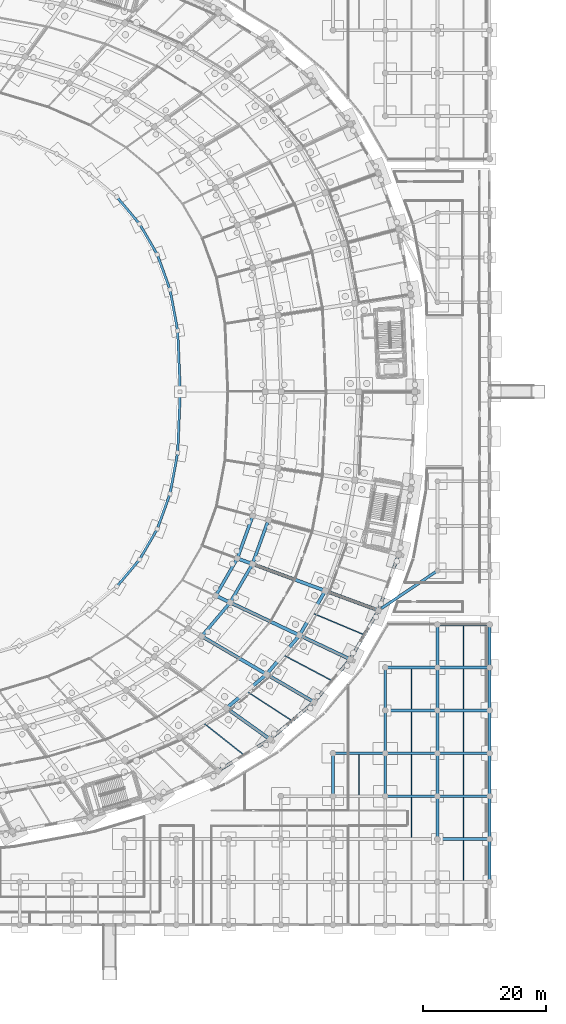
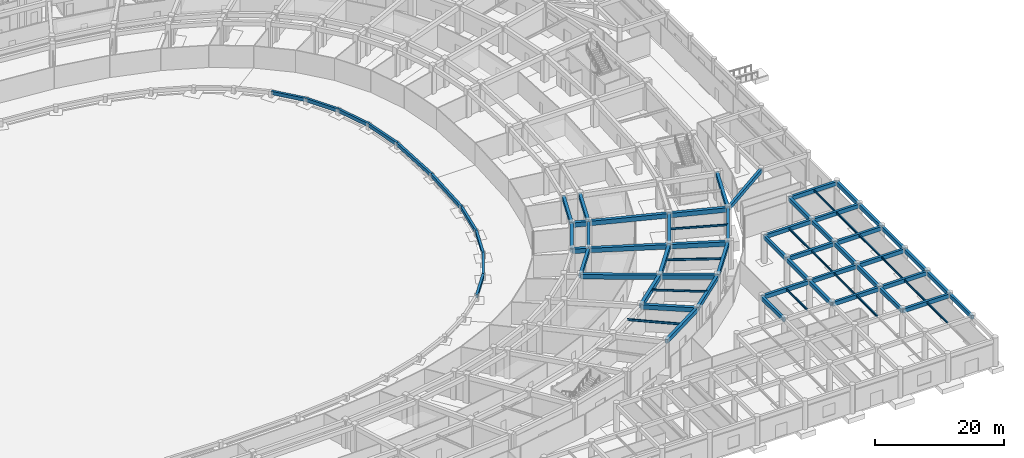
# One storey, part 31 of 88: 74 beams.
"""IFC4 building model written with IfcOpenShell, lengths in metres."""

from ifc_helpers import new_model, si_unit, direction, frame, origin, origin_2d, place, context, subcontext, project, spatial, rectangle, i_section, extrude, material, material_profile, profile_set, type_object, element, save


model = new_model("IFC4")

# Units and contexts
model_context = context("Model", 3, precision=1e-05, world=origin(), true_north=direction((0.0, 1.0)))
body_context = subcontext(model_context, "Body", "Model", "MODEL_VIEW")
ifc_project = project(units=[si_unit("LENGTHUNIT", "METRE"), si_unit("AREAUNIT", "SQUARE_METRE"), si_unit("VOLUMEUNIT", "CUBIC_METRE"), si_unit("PLANEANGLEUNIT", "RADIAN"), si_unit("MASSUNIT", "GRAM", prefix="KILO")], contexts=[model_context])

# Site, building, storey
site_placement = place(None, origin())
site = spatial("IfcSite", under=ifc_project, at=site_placement, CompositionType="ELEMENT")
building_placement = place(site_placement, origin())
building = spatial("IfcBuilding", under=site, at=building_placement, Name="Mphavela Belvedere Stadium", CompositionType="ELEMENT")
storey_placement = place(building_placement, origin())
storey = spatial("IfcBuildingStorey", under=building, at=storey_placement, Name="L00", CompositionType="ELEMENT", Elevation=0.0)

# Beams
ifc_material_1 = material(Name="Steel S355", Category="steel")
ifc_material_profile_1 = material_profile(ifc_material_1, i_section(OverallWidth=0.169921875, OverallDepth=0.360107421875, WebThickness=0.008056640625, FlangeThickness=0.0126953125, at=origin_2d()), Name="IPE 360")
ifc_profile_set_1 = profile_set([ifc_material_profile_1], Name="Steel S355")
beam_type_1 = type_object("IfcBeamType", Name="BM-JOIST-IPE360", PredefinedType="JOIST", material=ifc_profile_set_1)
beam_1_placement = place(storey_placement, frame((190.330810546875, 38.127197265625, 4.969970703125), z_axis=(0.838915278194, -0.544262028818, 0.0), x_axis=(0.544262028818, 0.838915278194, 0.0)))
element("IfcBeam", 1, at=beam_1_placement, inside=storey, type_object=beam_type_1, Name="Concourse floor joist L00-43", PredefinedType="JOIST", context=body_context, shape_type="SweptSolid", body=[
    extrude(i_section(OverallWidth=0.169921875, OverallDepth=0.360107421875, WebThickness=0.008056640625, FlangeThickness=0.0126953125, at=origin_2d()), origin(), (0.0, 0.0, 1.0), 8.840087890625),
])
beam_2_placement = place(storey_placement, frame((201.07568359375, 50.8837890625, 4.969970703125), z_axis=(0.922108778612, -0.386930743682, 0.0), x_axis=(0.386930743682, 0.922108778612, 0.0)))
element("IfcBeam", 2, at=beam_2_placement, inside=storey, type_object=beam_type_1, Name="Concourse floor joist L00-45", PredefinedType="JOIST", context=body_context, shape_type="SweptSolid", body=[
    extrude(i_section(OverallWidth=0.169921875, OverallDepth=0.360107421875, WebThickness=0.008056640625, FlangeThickness=0.0126953125, at=origin_2d()), origin(), (0.0, 0.0, 1.0), 9.189453125),
])
for number, where, z_axis, x_axis, name in (
    (3, (208.70361328125, 21.22509765625, 4.9599609375), (0.0, 1.0, 0.0), (-1.0, 0.0, 0.0), "South Axial Triumphal Peristyle Portico secondary joist L00 25-4"),
    (4, (217.221923828125, 14.22509765625, 4.9599609375), (0.0, 1.0, 0.0), (-1.0, 0.0, 0.0), "South Axial Triumphal Peristyle Portico secondary joist L00 26-3"),
    (5, (217.221923828125, 21.22509765625, 4.9599609375), (0.0, 1.0, 0.0), (-1.0, 0.0, 0.0), "South Axial Triumphal Peristyle Portico secondary joist L00 26-4"),
    (6, (217.221923828125, 28.22509765625, 4.9599609375), (0.0, 1.0, 0.0), (-1.0, 0.0, 0.0), "South Axial Triumphal Peristyle Portico secondary joist L00 26-5"),
    (7, (217.221923828125, 35.22509765625, 4.9599609375), (0.0, 1.0, 0.0), (-1.0, 0.0, 0.0), "South Axial Triumphal Peristyle Portico secondary joist L00 26-6"),
    (8, (225.740478515625, 7.22509765625, 4.9599609375), (0.0, 1.0, 0.0), (-1.0, 0.0, 0.0), "South Axial Triumphal Peristyle Portico secondary joist L00 27-2"),
    (9, (225.740478515625, 14.22509765625, 4.9599609375), (0.0, 1.0, 0.0), (-1.0, 0.0, 0.0), "South Axial Triumphal Peristyle Portico secondary joist L00 27-3"),
    (10, (225.740478515625, 21.22509765625, 4.9599609375), (0.0, 1.0, 0.0), (-1.0, 0.0, 0.0), "South Axial Triumphal Peristyle Portico secondary joist L00 27-4"),
    (11, (225.740478515625, 28.22509765625, 4.9599609375), (0.0, 1.0, 0.0), (-1.0, 0.0, 0.0), "South Axial Triumphal Peristyle Portico secondary joist L00 27-5"),
    (12, (225.740478515625, 35.22509765625, 4.9599609375), (0.0, 1.0, 0.0), (-1.0, 0.0, 0.0), "South Axial Triumphal Peristyle Portico secondary joist L00 27-6"),
    (13, (225.740478515625, 42.22509765625, 4.9599609375), (0.0, 1.0, 0.0), (-1.0, 0.0, 0.0), "South Axial Triumphal Peristyle Portico secondary joist L00 27-7"),
):
    element("IfcBeam", number, at=place(storey_placement, frame(where, z_axis=z_axis, x_axis=x_axis)), inside=storey, type_object=beam_type_1, Name=name, PredefinedType="JOIST", context=body_context, shape_type="SweptSolid", body=[
        extrude(i_section(OverallWidth=0.169921875, OverallDepth=0.360107421875, WebThickness=0.008056640625, FlangeThickness=0.0126953125, at=origin_2d()), origin(), (0.0, 0.0, 1.0), 6.5498046875),
    ])
ifc_material_2 = material(Name="Steel S355", Category="steel")
ifc_material_profile_2 = material_profile(ifc_material_2, i_section(OverallWidth=0.179931640625, OverallDepth=0.39990234375, WebThickness=0.008544921875, FlangeThickness=0.013427734375, at=origin_2d()), Name="IPE 400")
ifc_profile_set_2 = profile_set([ifc_material_profile_2], Name="Steel S355")
beam_type_2 = type_object("IfcBeamType", Name="BM-JOIST-IPE400", PredefinedType="JOIST", material=ifc_profile_set_2)
beam_3_placement = place(storey_placement, frame((183.210693359375, 33.02587890625, 4.949951171875), z_axis=(0.784195537739, -0.620513785979, 0.0), x_axis=(0.620513785979, 0.784195537739, 0.0)))
element("IfcBeam", 14, at=beam_3_placement, inside=storey, type_object=beam_type_2, Name="Concourse floor joist L00-42", PredefinedType="JOIST", context=body_context, shape_type="SweptSolid", body=[
    extrude(i_section(OverallWidth=0.179931640625, OverallDepth=0.39990234375, WebThickness=0.008544921875, FlangeThickness=0.013427734375, at=origin_2d()), origin(), (0.0, 0.0, 1.0), 8.56298828125),
])
beam_4_placement = place(storey_placement, frame((196.2880859375, 44.06884765625, 4.949951171875), z_axis=(0.884250771824, -0.467012390123, 0.0), x_axis=(0.467012390123, 0.884250771824, 0.0)))
element("IfcBeam", 15, at=beam_4_placement, inside=storey, type_object=beam_type_2, Name="Concourse floor joist L00-44", PredefinedType="JOIST", context=body_context, shape_type="SweptSolid", body=[
    extrude(i_section(OverallWidth=0.179931640625, OverallDepth=0.39990234375, WebThickness=0.008544921875, FlangeThickness=0.013427734375, at=origin_2d()), origin(), (0.0, 0.0, 1.0), 9.0498046875),
])
ifc_material_3 = material(Name="Concrete C40/50", Category="concrete")
ifc_material_profile_3 = material_profile(ifc_material_3, rectangle(XDim=0.39990234375, YDim=0.64990234375, at=origin_2d()), Name="RC 400x650")
ifc_profile_set_3 = profile_set([ifc_material_profile_3], Name="Concrete C40/50")
beam_type_3 = type_object("IfcBeamType", Name="BM-RC400x650", PredefinedType="BEAM", material=ifc_profile_set_3)
beam_5_placement = place(storey_placement, frame((179.5048828125, 87.0, 0.824951171875), z_axis=(-0.041887754326, 0.99912232286, 0.0), x_axis=(-0.99912232286, -0.041887754326, 0.0)))
element("IfcBeam", 16, at=beam_5_placement, inside=storey, type_object=beam_type_3, Name="Lower tier plinth ring beam 01", PredefinedType="BEAM", context=body_context, shape_type="SweptSolid", body=[
    extrude(rectangle(XDim=0.39990234375, YDim=0.64990234375, at=origin_2d()), origin(), (0.0, 0.0, 1.0), 9.94921875),
])
beam_6_placement = place(storey_placement, frame((179.088134765625, 96.9404296875, 0.824951171875), z_axis=(-0.182635082941, 0.983180769991, 0.0), x_axis=(-0.983180769991, -0.182635082941, 0.0)))
element("IfcBeam", 17, at=beam_6_placement, inside=storey, type_object=beam_type_3, Name="Lower tier plinth ring beam 02", PredefinedType="BEAM", context=body_context, shape_type="SweptSolid", body=[
    extrude(rectangle(XDim=0.39990234375, YDim=0.64990234375, at=origin_2d()), origin(), (0.0, 0.0, 1.0), 6.8388671875),
])
beam_7_placement = place(storey_placement, frame((177.839111328125, 103.664306640625, 0.824951171875), z_axis=(-0.341053704054, 0.940043813315, 0.0), x_axis=(-0.940043813315, -0.341053704054, 0.0)))
element("IfcBeam", 18, at=beam_7_placement, inside=storey, type_object=beam_type_3, Name="Lower tier plinth ring beam 03", PredefinedType="BEAM", context=body_context, shape_type="SweptSolid", body=[
    extrude(rectangle(XDim=0.39990234375, YDim=0.64990234375, at=origin_2d()), origin(), (0.0, 0.0, 1.0), 6.086181640625),
])
beam_8_placement = place(storey_placement, frame((175.763427734375, 109.385498046875, 0.824951171875), z_axis=(-0.500538549493, 0.86571424874, 0.0), x_axis=(-0.86571424874, -0.500538549493, 0.0)))
element("IfcBeam", 19, at=beam_8_placement, inside=storey, type_object=beam_type_3, Name="Lower tier plinth ring beam 04", PredefinedType="BEAM", context=body_context, shape_type="SweptSolid", body=[
    extrude(rectangle(XDim=0.39990234375, YDim=0.64990234375, at=origin_2d()), origin(), (0.0, 0.0, 1.0), 5.7822265625),
])
for number, where, z_axis, x_axis, name in (
    (20, (172.869140625, 114.391357421875, 0.824951171875), (-0.645177508065, 0.764032710744, 0.0), (-0.764032710744, -0.645177508065, 0.0), "Lower tier plinth ring beam 05"),
    (21, (169.1650390625, 55.22216796875, 0.824951171875), (0.645177508065, 0.764032710744, 0.0), (-0.764032710744, 0.645177508065, 0.0), "Lower tier plinth ring beam 44"),
):
    element("IfcBeam", number, at=place(storey_placement, frame(where, z_axis=z_axis, x_axis=x_axis)), inside=storey, type_object=beam_type_3, Name=name, PredefinedType="BEAM", context=body_context, shape_type="SweptSolid", body=[
        extrude(rectangle(XDim=0.39990234375, YDim=0.64990234375, at=origin_2d()), origin(), (0.0, 0.0, 1.0), 5.7412109375),
    ])
beam_9_placement = place(storey_placement, frame((172.869140625, 59.608642578125, 0.824951171875), z_axis=(0.500538549493, 0.86571424874, 0.0), x_axis=(-0.86571424874, 0.500538549493, 0.0)))
element("IfcBeam", 22, at=beam_9_placement, inside=storey, type_object=beam_type_3, Name="Lower tier plinth ring beam 45", PredefinedType="BEAM", context=body_context, shape_type="SweptSolid", body=[
    extrude(rectangle(XDim=0.39990234375, YDim=0.64990234375, at=origin_2d()), origin(), (0.0, 0.0, 1.0), 5.7822265625),
])
beam_10_placement = place(storey_placement, frame((175.763427734375, 64.614501953125, 0.824951171875), z_axis=(0.341053704054, 0.940043813315, 0.0), x_axis=(-0.940043813315, 0.341053704054, 0.0)))
element("IfcBeam", 23, at=beam_10_placement, inside=storey, type_object=beam_type_3, Name="Lower tier plinth ring beam 46", PredefinedType="BEAM", context=body_context, shape_type="SweptSolid", body=[
    extrude(rectangle(XDim=0.39990234375, YDim=0.64990234375, at=origin_2d()), origin(), (0.0, 0.0, 1.0), 6.086181640625),
])
beam_11_placement = place(storey_placement, frame((177.839111328125, 70.335693359375, 0.824951171875), z_axis=(0.182635082941, 0.983180769991, 0.0), x_axis=(-0.983180769991, 0.182635082941, 0.0)))
element("IfcBeam", 24, at=beam_11_placement, inside=storey, type_object=beam_type_3, Name="Lower tier plinth ring beam 47", PredefinedType="BEAM", context=body_context, shape_type="SweptSolid", body=[
    extrude(rectangle(XDim=0.39990234375, YDim=0.64990234375, at=origin_2d()), origin(), (0.0, 0.0, 1.0), 6.8388671875),
])
beam_12_placement = place(storey_placement, frame((179.088134765625, 77.0595703125, 0.824951171875), z_axis=(0.041887754326, 0.99912232286, 0.0), x_axis=(-0.99912232286, 0.041887754326, 0.0)))
element("IfcBeam", 25, at=beam_12_placement, inside=storey, type_object=beam_type_3, Name="Lower tier plinth ring beam 48", PredefinedType="BEAM", context=body_context, shape_type="SweptSolid", body=[
    extrude(rectangle(XDim=0.39990234375, YDim=0.64990234375, at=origin_2d()), origin(), (0.0, 0.0, 1.0), 9.94921875),
])
ifc_material_4 = material(Name="Concrete C40/50", Category="concrete")
ifc_material_profile_4 = material_profile(ifc_material_4, rectangle(XDim=0.449951171875, YDim=0.75, at=origin_2d()), Name="RC 450x750")
ifc_profile_set_4 = profile_set([ifc_material_profile_4], Name="Concrete C40/50")
beam_type_4 = type_object("IfcBeamType", Name="BM-RC450x750", PredefinedType="BEAM", material=ifc_profile_set_4)
beam_13_placement = place(storey_placement, frame((204.444091796875, 21.0, 4.764892578125), z_axis=(0.0, 1.0, 0.0), x_axis=(-1.0, 0.0, 0.0)))
element("IfcBeam", 26, at=beam_13_placement, inside=storey, type_object=beam_type_4, Name="South Axial Triumphal Peristyle Portico entablature beam Y L00 25-4", PredefinedType="BEAM", context=body_context, shape_type="SweptSolid", body=[
    extrude(rectangle(XDim=0.449951171875, YDim=0.75, at=origin_2d()), origin(), (0.0, 0.0, 1.0), 7.0),
])
beam_14_placement = place(storey_placement, frame((204.444091796875, 28.0, 4.764892578125), z_axis=(1.0, 0.0, 0.0), x_axis=(0.0, 1.0, 0.0)))
element("IfcBeam", 27, at=beam_14_placement, inside=storey, type_object=beam_type_4, Name="South Axial Triumphal Peristyle Portico entablature beam X L00 25-5", PredefinedType="BEAM", context=body_context, shape_type="SweptSolid", body=[
    extrude(rectangle(XDim=0.449951171875, YDim=0.75, at=origin_2d()), origin(), (0.0, 0.0, 1.0), 8.518798828125),
])
beam_15_placement = place(storey_placement, frame((212.962890625, 21.0, 4.764892578125), z_axis=(1.0, 0.0, 0.0), x_axis=(0.0, 1.0, 0.0)))
element("IfcBeam", 28, at=beam_15_placement, inside=storey, type_object=beam_type_4, Name="South Axial Triumphal Peristyle Portico entablature beam X L00 26-4", PredefinedType="BEAM", context=body_context, shape_type="SweptSolid", body=[
    extrude(rectangle(XDim=0.449951171875, YDim=0.75, at=origin_2d()), origin(), (0.0, 0.0, 1.0), 8.51806640625),
])
beam_16_placement = place(storey_placement, frame((212.962890625, 21.0, 4.764892578125), z_axis=(0.0, 1.0, 0.0), x_axis=(-1.0, 0.0, 0.0)))
element("IfcBeam", 29, at=beam_16_placement, inside=storey, type_object=beam_type_4, Name="South Axial Triumphal Peristyle Portico entablature beam Y L00 26-4", PredefinedType="BEAM", context=body_context, shape_type="SweptSolid", body=[
    extrude(rectangle(XDim=0.449951171875, YDim=0.75, at=origin_2d()), origin(), (0.0, 0.0, 1.0), 7.0),
])
beam_17_placement = place(storey_placement, frame((212.962890625, 28.0, 4.764892578125), z_axis=(1.0, 0.0, 0.0), x_axis=(0.0, 1.0, 0.0)))
element("IfcBeam", 30, at=beam_17_placement, inside=storey, type_object=beam_type_4, Name="South Axial Triumphal Peristyle Portico entablature beam X L00 26-5", PredefinedType="BEAM", context=body_context, shape_type="SweptSolid", body=[
    extrude(rectangle(XDim=0.449951171875, YDim=0.75, at=origin_2d()), origin(), (0.0, 0.0, 1.0), 8.51806640625),
])
beam_18_placement = place(storey_placement, frame((212.962890625, 28.0, 4.764892578125), z_axis=(0.0, 1.0, 0.0), x_axis=(-1.0, 0.0, 0.0)))
element("IfcBeam", 31, at=beam_18_placement, inside=storey, type_object=beam_type_4, Name="South Axial Triumphal Peristyle Portico entablature beam Y L00 26-5", PredefinedType="BEAM", context=body_context, shape_type="SweptSolid", body=[
    extrude(rectangle(XDim=0.449951171875, YDim=0.75, at=origin_2d()), origin(), (0.0, 0.0, 1.0), 7.0),
])
beam_19_placement = place(storey_placement, frame((212.962890625, 35.0, 4.764892578125), z_axis=(1.0, 0.0, 0.0), x_axis=(0.0, 1.0, 0.0)))
element("IfcBeam", 32, at=beam_19_placement, inside=storey, type_object=beam_type_4, Name="South Axial Triumphal Peristyle Portico entablature beam X L00 26-6", PredefinedType="BEAM", context=body_context, shape_type="SweptSolid", body=[
    extrude(rectangle(XDim=0.449951171875, YDim=0.75, at=origin_2d()), origin(), (0.0, 0.0, 1.0), 8.51806640625),
])
beam_20_placement = place(storey_placement, frame((212.962890625, 35.0, 4.764892578125), z_axis=(0.0, 1.0, 0.0), x_axis=(-1.0, 0.0, 0.0)))
element("IfcBeam", 33, at=beam_20_placement, inside=storey, type_object=beam_type_4, Name="South Axial Triumphal Peristyle Portico entablature beam Y L00 26-6", PredefinedType="BEAM", context=body_context, shape_type="SweptSolid", body=[
    extrude(rectangle(XDim=0.449951171875, YDim=0.75, at=origin_2d()), origin(), (0.0, 0.0, 1.0), 7.0),
])
beam_21_placement = place(storey_placement, frame((212.962890625, 42.0, 4.764892578125), z_axis=(1.0, 0.0, 0.0), x_axis=(0.0, 1.0, 0.0)))
element("IfcBeam", 34, at=beam_21_placement, inside=storey, type_object=beam_type_4, Name="South Axial Triumphal Peristyle Portico entablature beam X L00 26-7", PredefinedType="BEAM", context=body_context, shape_type="SweptSolid", body=[
    extrude(rectangle(XDim=0.449951171875, YDim=0.75, at=origin_2d()), origin(), (0.0, 0.0, 1.0), 8.51806640625),
])
beam_22_placement = place(storey_placement, frame((221.48095703125, 14.0, 4.764892578125), z_axis=(1.0, 0.0, 0.0), x_axis=(0.0, 1.0, 0.0)))
element("IfcBeam", 35, at=beam_22_placement, inside=storey, type_object=beam_type_4, Name="South Axial Triumphal Peristyle Portico entablature beam X L00 27-3", PredefinedType="BEAM", context=body_context, shape_type="SweptSolid", body=[
    extrude(rectangle(XDim=0.449951171875, YDim=0.75, at=origin_2d()), origin(), (0.0, 0.0, 1.0), 8.51904296875),
])
beam_23_placement = place(storey_placement, frame((221.48095703125, 14.0, 4.764892578125), z_axis=(0.0, 1.0, 0.0), x_axis=(-1.0, 0.0, 0.0)))
element("IfcBeam", 36, at=beam_23_placement, inside=storey, type_object=beam_type_4, Name="South Axial Triumphal Peristyle Portico entablature beam Y L00 27-3", PredefinedType="BEAM", context=body_context, shape_type="SweptSolid", body=[
    extrude(rectangle(XDim=0.449951171875, YDim=0.75, at=origin_2d()), origin(), (0.0, 0.0, 1.0), 7.0),
])
beam_24_placement = place(storey_placement, frame((221.48095703125, 21.0, 4.764892578125), z_axis=(1.0, 0.0, 0.0), x_axis=(0.0, 1.0, 0.0)))
element("IfcBeam", 37, at=beam_24_placement, inside=storey, type_object=beam_type_4, Name="South Axial Triumphal Peristyle Portico entablature beam X L00 27-4", PredefinedType="BEAM", context=body_context, shape_type="SweptSolid", body=[
    extrude(rectangle(XDim=0.449951171875, YDim=0.75, at=origin_2d()), origin(), (0.0, 0.0, 1.0), 8.51904296875),
])
beam_25_placement = place(storey_placement, frame((221.48095703125, 21.0, 4.764892578125), z_axis=(0.0, 1.0, 0.0), x_axis=(-1.0, 0.0, 0.0)))
element("IfcBeam", 38, at=beam_25_placement, inside=storey, type_object=beam_type_4, Name="South Axial Triumphal Peristyle Portico entablature beam Y L00 27-4", PredefinedType="BEAM", context=body_context, shape_type="SweptSolid", body=[
    extrude(rectangle(XDim=0.449951171875, YDim=0.75, at=origin_2d()), origin(), (0.0, 0.0, 1.0), 7.0),
])
beam_26_placement = place(storey_placement, frame((221.48095703125, 28.0, 4.764892578125), z_axis=(1.0, 0.0, 0.0), x_axis=(0.0, 1.0, 0.0)))
element("IfcBeam", 39, at=beam_26_placement, inside=storey, type_object=beam_type_4, Name="South Axial Triumphal Peristyle Portico entablature beam X L00 27-5", PredefinedType="BEAM", context=body_context, shape_type="SweptSolid", body=[
    extrude(rectangle(XDim=0.449951171875, YDim=0.75, at=origin_2d()), origin(), (0.0, 0.0, 1.0), 8.51904296875),
])
beam_27_placement = place(storey_placement, frame((221.48095703125, 28.0, 4.764892578125), z_axis=(0.0, 1.0, 0.0), x_axis=(-1.0, 0.0, 0.0)))
element("IfcBeam", 40, at=beam_27_placement, inside=storey, type_object=beam_type_4, Name="South Axial Triumphal Peristyle Portico entablature beam Y L00 27-5", PredefinedType="BEAM", context=body_context, shape_type="SweptSolid", body=[
    extrude(rectangle(XDim=0.449951171875, YDim=0.75, at=origin_2d()), origin(), (0.0, 0.0, 1.0), 7.0),
])
beam_28_placement = place(storey_placement, frame((221.48095703125, 35.0, 4.764892578125), z_axis=(1.0, 0.0, 0.0), x_axis=(0.0, 1.0, 0.0)))
element("IfcBeam", 41, at=beam_28_placement, inside=storey, type_object=beam_type_4, Name="South Axial Triumphal Peristyle Portico entablature beam X L00 27-6", PredefinedType="BEAM", context=body_context, shape_type="SweptSolid", body=[
    extrude(rectangle(XDim=0.449951171875, YDim=0.75, at=origin_2d()), origin(), (0.0, 0.0, 1.0), 8.51904296875),
])
beam_29_placement = place(storey_placement, frame((221.48095703125, 35.0, 4.764892578125), z_axis=(0.0, 1.0, 0.0), x_axis=(-1.0, 0.0, 0.0)))
element("IfcBeam", 42, at=beam_29_placement, inside=storey, type_object=beam_type_4, Name="South Axial Triumphal Peristyle Portico entablature beam Y L00 27-6", PredefinedType="BEAM", context=body_context, shape_type="SweptSolid", body=[
    extrude(rectangle(XDim=0.449951171875, YDim=0.75, at=origin_2d()), origin(), (0.0, 0.0, 1.0), 7.0),
])
beam_30_placement = place(storey_placement, frame((221.48095703125, 42.0, 4.764892578125), z_axis=(1.0, 0.0, 0.0), x_axis=(0.0, 1.0, 0.0)))
element("IfcBeam", 43, at=beam_30_placement, inside=storey, type_object=beam_type_4, Name="South Axial Triumphal Peristyle Portico entablature beam X L00 27-7", PredefinedType="BEAM", context=body_context, shape_type="SweptSolid", body=[
    extrude(rectangle(XDim=0.449951171875, YDim=0.75, at=origin_2d()), origin(), (0.0, 0.0, 1.0), 8.51904296875),
])
beam_31_placement = place(storey_placement, frame((221.48095703125, 42.0, 4.764892578125), z_axis=(0.0, 1.0, 0.0), x_axis=(-1.0, 0.0, 0.0)))
element("IfcBeam", 44, at=beam_31_placement, inside=storey, type_object=beam_type_4, Name="South Axial Triumphal Peristyle Portico entablature beam Y L00 27-7", PredefinedType="BEAM", context=body_context, shape_type="SweptSolid", body=[
    extrude(rectangle(XDim=0.449951171875, YDim=0.75, at=origin_2d()), origin(), (0.0, 0.0, 1.0), 7.0),
])
beam_32_placement = place(storey_placement, frame((221.48095703125, 49.0, 4.764892578125), z_axis=(1.0, 0.0, 0.0), x_axis=(0.0, 1.0, 0.0)))
element("IfcBeam", 45, at=beam_32_placement, inside=storey, type_object=beam_type_4, Name="South Axial Triumphal Peristyle Portico entablature beam X L00 27-8", PredefinedType="BEAM", context=body_context, shape_type="SweptSolid", body=[
    extrude(rectangle(XDim=0.449951171875, YDim=0.75, at=origin_2d()), origin(), (0.0, 0.0, 1.0), 8.51904296875),
])
for number, where, z_axis, x_axis, name in (
    (46, (230.0, 7.0, 4.764892578125), (0.0, 1.0, 0.0), (-1.0, 0.0, 0.0), "South Axial Triumphal Peristyle Portico entablature beam Y L00 28-2"),
    (47, (230.0, 14.0, 4.764892578125), (0.0, 1.0, 0.0), (-1.0, 0.0, 0.0), "South Axial Triumphal Peristyle Portico entablature beam Y L00 28-3"),
    (48, (230.0, 21.0, 4.764892578125), (0.0, 1.0, 0.0), (-1.0, 0.0, 0.0), "South Axial Triumphal Peristyle Portico entablature beam Y L00 28-4"),
    (49, (230.0, 28.0, 4.764892578125), (0.0, 1.0, 0.0), (-1.0, 0.0, 0.0), "South Axial Triumphal Peristyle Portico entablature beam Y L00 28-5"),
    (50, (230.0, 35.0, 4.764892578125), (0.0, 1.0, 0.0), (-1.0, 0.0, 0.0), "South Axial Triumphal Peristyle Portico entablature beam Y L00 28-6"),
    (51, (230.0, 42.0, 4.764892578125), (0.0, 1.0, 0.0), (-1.0, 0.0, 0.0), "South Axial Triumphal Peristyle Portico entablature beam Y L00 28-7"),
):
    element("IfcBeam", number, at=place(storey_placement, frame(where, z_axis=z_axis, x_axis=x_axis)), inside=storey, type_object=beam_type_4, Name=name, PredefinedType="BEAM", context=body_context, shape_type="SweptSolid", body=[
        extrude(rectangle(XDim=0.449951171875, YDim=0.75, at=origin_2d()), origin(), (0.0, 0.0, 1.0), 7.0),
    ])
beam_33_placement = place(storey_placement, frame((221.5, 57.800048828125, 4.764892578125), z_axis=(-0.82993028647, -0.557867116436, 0.0), x_axis=(0.557867116436, -0.82993028647, 0.0)))
element("IfcBeam", 52, at=beam_33_placement, inside=storey, type_object=beam_type_4, Name="East Planted Eaves Peristyle Colonnade bowl link girder L00-5", PredefinedType="BEAM", context=body_context, shape_type="SweptSolid", body=[
    extrude(rectangle(XDim=0.449951171875, YDim=0.75, at=origin_2d()), origin(), (0.0, 0.0, 1.0), 11.6201171875),
])
ifc_material_5 = material(Name="Concrete C40/50", Category="concrete")
ifc_material_profile_5 = material_profile(ifc_material_5, rectangle(XDim=0.5, YDim=0.800048828125, at=origin_2d()), Name="RC 500x800")
ifc_profile_set_5 = profile_set([ifc_material_profile_5], Name="Concrete C40/50")
beam_type_5 = type_object("IfcBeamType", Name="BM-RC500x800", PredefinedType="BEAM", material=ifc_profile_set_5)
beam_34_placement = place(storey_placement, frame((183.01171875, 47.098388671875, 4.75), z_axis=(0.645167637984, 0.764041045297, 0.0), x_axis=(-0.764041045297, 0.645167637984, 0.0)))
element("IfcBeam", 53, at=beam_34_placement, inside=storey, type_object=beam_type_5, Name="Circumferential girder L00 R2-44", PredefinedType="BEAM", context=body_context, shape_type="SweptSolid", body=[
    extrude(rectangle(XDim=0.5, YDim=0.800048828125, at=origin_2d()), origin(), (0.0, 0.0, 1.0), 7.208740234375),
])
beam_35_placement = place(storey_placement, frame((185.31298828125, 53.718505859375, 4.75), z_axis=(0.500559513075, 0.86570212768, 0.0), x_axis=(-0.86570212768, 0.500559513075, 0.0)))
element("IfcBeam", 54, at=beam_35_placement, inside=storey, type_object=beam_type_5, Name="Circumferential girder L00 R1-45", PredefinedType="BEAM", context=body_context, shape_type="SweptSolid", body=[
    extrude(rectangle(XDim=0.5, YDim=0.800048828125, at=origin_2d()), origin(), (0.0, 0.0, 1.0), 7.02587890625),
])
beam_36_placement = place(storey_placement, frame((187.66259765625, 52.606201171875, 4.75), z_axis=(0.500568314135, 0.86569703874, 0.0), x_axis=(-0.86569703874, 0.500568314135, 0.0)))
element("IfcBeam", 55, at=beam_36_placement, inside=storey, type_object=beam_type_5, Name="Circumferential girder L00 R2-45", PredefinedType="BEAM", context=body_context, shape_type="SweptSolid", body=[
    extrude(rectangle(XDim=0.5, YDim=0.800048828125, at=origin_2d()), origin(), (0.0, 0.0, 1.0), 7.2607421875),
])
beam_37_placement = place(storey_placement, frame((188.829833984375, 59.80078125, 4.75), z_axis=(0.341037858277, 0.940049562109, 0.0), x_axis=(-0.940049562109, 0.341037858277, 0.0)))
element("IfcBeam", 56, at=beam_37_placement, inside=storey, type_object=beam_type_5, Name="Circumferential girder L00 R1-46", PredefinedType="BEAM", context=body_context, shape_type="SweptSolid", body=[
    extrude(rectangle(XDim=0.5, YDim=0.800048828125, at=origin_2d()), origin(), (0.0, 0.0, 1.0), 7.39501953125),
])
beam_38_placement = place(storey_placement, frame((191.297119140625, 58.891845703125, 4.75), z_axis=(0.341037560831, 0.940049670019, 0.0), x_axis=(-0.940049670019, 0.341037560831, 0.0)))
element("IfcBeam", 57, at=beam_38_placement, inside=storey, type_object=beam_type_5, Name="Circumferential girder L00 R2-46", PredefinedType="BEAM", context=body_context, shape_type="SweptSolid", body=[
    extrude(rectangle(XDim=0.5, YDim=0.800048828125, at=origin_2d()), origin(), (0.0, 0.0, 1.0), 7.64208984375),
])
ifc_material_6 = material(Name="Concrete C40/50", Category="concrete")
ifc_material_profile_6 = material_profile(ifc_material_6, rectangle(XDim=0.550048828125, YDim=0.85009765625, at=origin_2d()), Name="RC 550x850")
ifc_profile_set_6 = profile_set([ifc_material_profile_6], Name="Concrete C40/50")
beam_type_6 = type_object("IfcBeamType", Name="BM-RC550x850", PredefinedType="BEAM", material=ifc_profile_set_6)
beam_39_placement = place(storey_placement, frame((187.061279296875, 35.368408203125, 4.72509765625), z_axis=(0.764263355392, 0.644904274761, 0.0), x_axis=(-0.644904274761, 0.764263355392, 0.0)))
element("IfcBeam", 58, at=beam_39_placement, inside=storey, type_object=beam_type_6, Name="Circumferential girder L00 R3-43", PredefinedType="BEAM", context=body_context, shape_type="SweptSolid", body=[
    extrude(rectangle(XDim=0.550048828125, YDim=0.85009765625, at=origin_2d()), origin(), (0.0, 0.0, 1.0), 8.55615234375),
])
beam_40_placement = place(storey_placement, frame((187.061279296875, 35.368408203125, 4.72509765625), z_axis=(0.812882024932, -0.582428376319, 0.0), x_axis=(0.582428376319, 0.812882024932, 0.0)))
element("IfcBeam", 59, at=beam_40_placement, inside=storey, type_object=beam_type_6, Name="Radial concourse girder L00 R3R4-43", PredefinedType="BEAM", context=body_context, shape_type="SweptSolid", body=[
    extrude(rectangle(XDim=0.550048828125, YDim=0.85009765625, at=origin_2d()), origin(), (0.0, 0.0, 1.0), 8.727294921875),
])
beam_41_placement = place(storey_placement, frame((193.600341796875, 40.88623046875, 4.72509765625), z_axis=(0.645177396673, 0.764032804808, 0.0), x_axis=(-0.764032804808, 0.645177396673, 0.0)))
element("IfcBeam", 60, at=beam_41_placement, inside=storey, type_object=beam_type_6, Name="Circumferential girder L00 R3-44", PredefinedType="BEAM", context=body_context, shape_type="SweptSolid", body=[
    extrude(rectangle(XDim=0.550048828125, YDim=0.85009765625, at=origin_2d()), origin(), (0.0, 0.0, 1.0), 8.331298828125),
])
beam_42_placement = place(storey_placement, frame((183.01171875, 47.098388671875, 4.72509765625), z_axis=(0.862519003522, -0.506024671892, 0.0), x_axis=(0.506024671892, 0.862519003522, 0.0)))
element("IfcBeam", 61, at=beam_42_placement, inside=storey, type_object=beam_type_6, Name="Radial concourse girder L00 R2R3-44", PredefinedType="BEAM", context=body_context, shape_type="SweptSolid", body=[
    extrude(rectangle(XDim=0.550048828125, YDim=0.85009765625, at=origin_2d()), origin(), (0.0, 0.0, 1.0), 12.2763671875),
])
beam_43_placement = place(storey_placement, frame((193.600341796875, 40.88623046875, 4.72509765625), z_axis=(0.862517779395, -0.506026758411, 0.0), x_axis=(0.506026758411, 0.862517779395, 0.0)))
element("IfcBeam", 62, at=beam_43_placement, inside=storey, type_object=beam_type_6, Name="Radial concourse girder L00 R3R4-44", PredefinedType="BEAM", context=body_context, shape_type="SweptSolid", body=[
    extrude(rectangle(XDim=0.550048828125, YDim=0.85009765625, at=origin_2d()), origin(), (0.0, 0.0, 1.0), 8.971435546875),
])
beam_44_placement = place(storey_placement, frame((198.9755859375, 47.251708984375, 4.72509765625), z_axis=(0.500547586322, 0.865709023765, 0.0), x_axis=(-0.865709023765, 0.500547586322, 0.0)))
element("IfcBeam", 63, at=beam_44_placement, inside=storey, type_object=beam_type_6, Name="Circumferential girder L00 R3-45", PredefinedType="BEAM", context=body_context, shape_type="SweptSolid", body=[
    extrude(rectangle(XDim=0.550048828125, YDim=0.85009765625, at=origin_2d()), origin(), (0.0, 0.0, 1.0), 8.390625),
])
beam_45_placement = place(storey_placement, frame((185.31298828125, 53.718505859375, 4.72509765625), z_axis=(0.903837253846, -0.427876405707, 0.0), x_axis=(0.427876405707, 0.903837253846, 0.0)))
element("IfcBeam", 64, at=beam_45_placement, inside=storey, type_object=beam_type_6, Name="Radial concourse girder L00 R1R2-45", PredefinedType="BEAM", context=body_context, shape_type="SweptSolid", body=[
    extrude(rectangle(XDim=0.550048828125, YDim=0.85009765625, at=origin_2d()), origin(), (0.0, 0.0, 1.0), 2.599609375),
])
beam_46_placement = place(storey_placement, frame((187.66259765625, 52.606201171875, 4.72509765625), z_axis=(0.903870454162, -0.427806267009, 0.0), x_axis=(0.427806267009, 0.903870454162, 0.0)))
element("IfcBeam", 65, at=beam_46_placement, inside=storey, type_object=beam_type_6, Name="Radial concourse girder L00 R2R3-45", PredefinedType="BEAM", context=body_context, shape_type="SweptSolid", body=[
    extrude(rectangle(XDim=0.550048828125, YDim=0.85009765625, at=origin_2d()), origin(), (0.0, 0.0, 1.0), 12.51611328125),
])
beam_47_placement = place(storey_placement, frame((198.9755859375, 47.251708984375, 4.72509765625), z_axis=(0.903845427073, -0.427859140325, 0.0), x_axis=(0.427859140325, 0.903845427073, 0.0)))
element("IfcBeam", 66, at=beam_47_placement, inside=storey, type_object=beam_type_6, Name="Radial concourse girder L00 R3R4-45", PredefinedType="BEAM", context=body_context, shape_type="SweptSolid", body=[
    extrude(rectangle(XDim=0.550048828125, YDim=0.85009765625, at=origin_2d()), origin(), (0.0, 0.0, 1.0), 9.146240234375),
])
beam_48_placement = place(storey_placement, frame((188.829833984375, 59.80078125, 4.72509765625), z_axis=(0.938351042866, -0.345683844507, 0.0), x_axis=(0.345683844507, 0.938351042866, 0.0)))
element("IfcBeam", 67, at=beam_48_placement, inside=storey, type_object=beam_type_6, Name="Radial concourse girder L00 R1R2-46", PredefinedType="BEAM", context=body_context, shape_type="SweptSolid", body=[
    extrude(rectangle(XDim=0.550048828125, YDim=0.85009765625, at=origin_2d()), origin(), (0.0, 0.0, 1.0), 2.62939453125),
])
beam_49_placement = place(storey_placement, frame((191.297119140625, 58.891845703125, 4.72509765625), z_axis=(0.938344104636, -0.345702677593, 0.0), x_axis=(0.345702677593, 0.938344104636, 0.0)))
element("IfcBeam", 68, at=beam_49_placement, inside=storey, type_object=beam_type_6, Name="Radial concourse girder L00 R2R3-46", PredefinedType="BEAM", context=body_context, shape_type="SweptSolid", body=[
    extrude(rectangle(XDim=0.550048828125, YDim=0.85009765625, at=origin_2d()), origin(), (0.0, 0.0, 1.0), 12.658935546875),
])
beam_50_placement = place(storey_placement, frame((203.175537109375, 54.515625, 4.72509765625), z_axis=(0.938348073025, -0.345691905967, 0.0), x_axis=(0.345691905967, 0.938348073025, 0.0)))
element("IfcBeam", 69, at=beam_50_placement, inside=storey, type_object=beam_type_6, Name="Radial concourse girder L00 R3R4-46", PredefinedType="BEAM", context=body_context, shape_type="SweptSolid", body=[
    extrude(rectangle(XDim=0.550048828125, YDim=0.85009765625, at=origin_2d()), origin(), (0.0, 0.0, 1.0), 9.2509765625),
])
ifc_material_7 = material(Name="Concrete C40/50", Category="concrete")
ifc_material_profile_7 = material_profile(ifc_material_7, rectangle(XDim=0.5, YDim=0.800048828125, at=origin_2d()), Name="RC 500x800")
ifc_profile_set_7 = profile_set([ifc_material_profile_7], Name="Concrete C40/50")
beam_type_7 = type_object("IfcBeamType", Name="BM-SPANDREL-800", PredefinedType="SPANDREL", material=ifc_profile_set_7)
beam_51_placement = place(storey_placement, frame((185.6962890625, 25.13916015625, 4.75), z_axis=(0.854326607994, 0.51973651678, 0.0), x_axis=(-0.51973651678, 0.854326607994, 0.0)))
element("IfcBeam", 70, at=beam_51_placement, inside=storey, type_object=beam_type_7, Name="Circumferential girder L00 R4-42", PredefinedType="SPANDREL", context=body_context, shape_type="SweptSolid", body=[
    extrude(rectangle(XDim=0.5, YDim=0.800048828125, at=origin_2d()), origin(), (0.0, 0.0, 1.0), 9.901611328125),
])
beam_52_placement = place(storey_placement, frame((194.155517578125, 30.285400390625, 4.75), z_axis=(0.76426547638, 0.644901761212, 0.0), x_axis=(-0.644901761212, 0.76426547638, 0.0)))
element("IfcBeam", 71, at=beam_52_placement, inside=storey, type_object=beam_type_7, Name="Circumferential girder L00 R4-43", PredefinedType="SPANDREL", context=body_context, shape_type="SweptSolid", body=[
    extrude(rectangle(XDim=0.5, YDim=0.800048828125, at=origin_2d()), origin(), (0.0, 0.0, 1.0), 9.3984375),
])
beam_53_placement = place(storey_placement, frame((201.33837890625, 36.346435546875, 4.75), z_axis=(0.645164552218, 0.764043650952, 0.0), x_axis=(-0.764043650952, 0.645164552218, 0.0)))
element("IfcBeam", 72, at=beam_53_placement, inside=storey, type_object=beam_type_7, Name="Circumferential girder L00 R4-44", PredefinedType="SPANDREL", context=body_context, shape_type="SweptSolid", body=[
    extrude(rectangle(XDim=0.5, YDim=0.800048828125, at=origin_2d()), origin(), (0.0, 0.0, 1.0), 9.151123046875),
])
beam_54_placement = place(storey_placement, frame((207.242431640625, 43.33837890625, 4.75), z_axis=(0.500565297122, 0.865698783248, 0.0), x_axis=(-0.865698783248, 0.500565297122, 0.0)))
element("IfcBeam", 73, at=beam_54_placement, inside=storey, type_object=beam_type_7, Name="Circumferential girder L00 R4-45", PredefinedType="SPANDREL", context=body_context, shape_type="SweptSolid", body=[
    extrude(rectangle(XDim=0.5, YDim=0.800048828125, at=origin_2d()), origin(), (0.0, 0.0, 1.0), 9.217041015625),
])
beam_55_placement = place(storey_placement, frame((211.856201171875, 51.317626953125, 4.75), z_axis=(0.341017570596, 0.94005692197, 0.0), x_axis=(-0.94005692197, 0.341017570596, 0.0)))
element("IfcBeam", 74, at=beam_55_placement, inside=storey, type_object=beam_type_7, Name="Circumferential girder L00 R4-46", PredefinedType="SPANDREL", context=body_context, shape_type="SweptSolid", body=[
    extrude(rectangle(XDim=0.5, YDim=0.800048828125, at=origin_2d()), origin(), (0.0, 0.0, 1.0), 9.701416015625),
])

save(model, "model.ifc")
